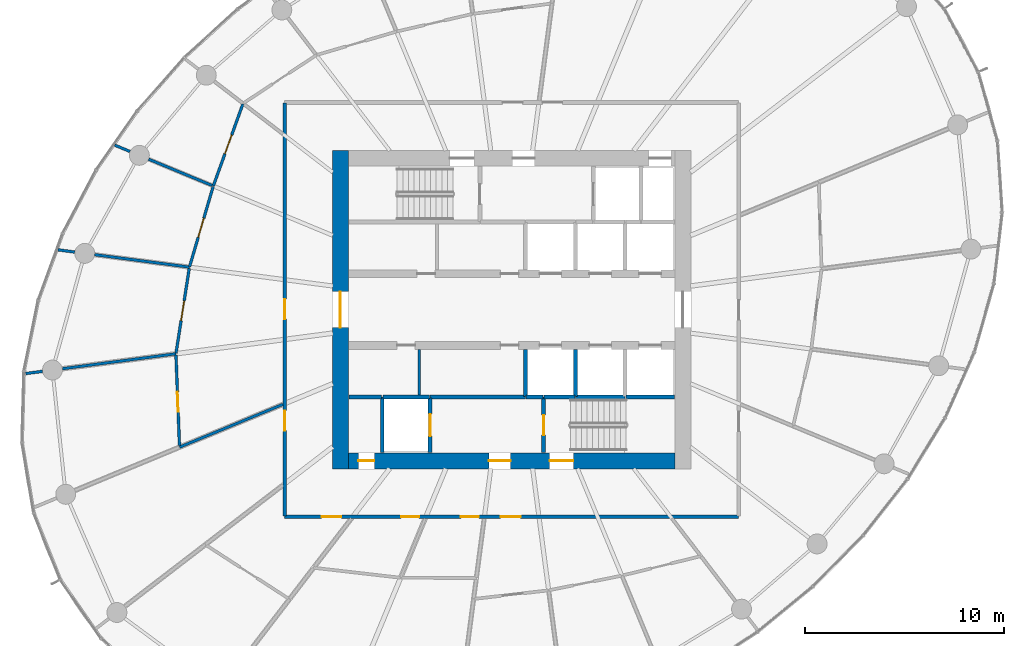
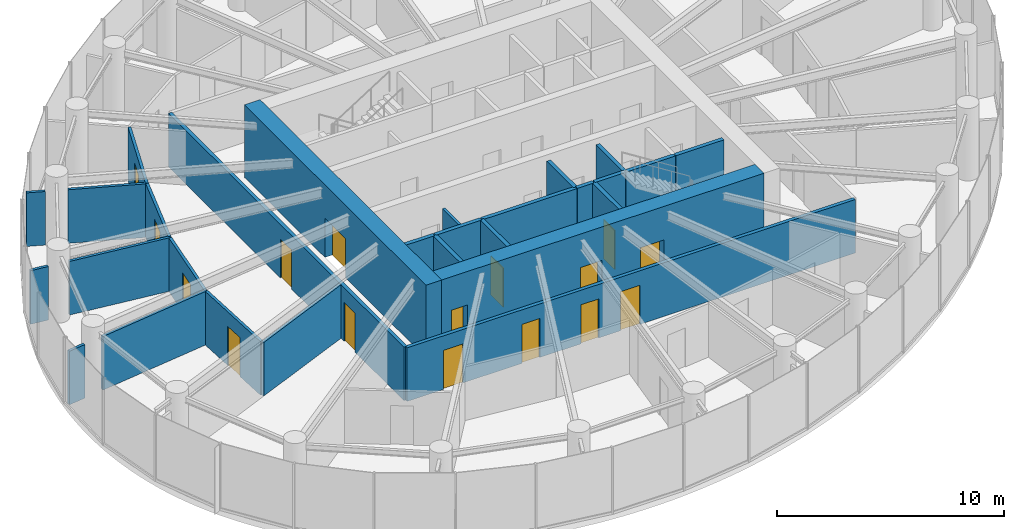
# One storey, part 9 of 14: 28 walls, 16 doors, 16 openings.
"""IFC4 building model written with IfcOpenShell, lengths in metres."""

import ifcopenshell
import ifcopenshell.guid

model = None  # the IFC model being written
_history = None  # IfcOwnerHistory: only IFC2X3 demands one
_inside = {}  # id of a spatial element -> (the spatial element, [elements in it])
_under = {}  # id of a project, library or spatial element -> (it, [spatial elements below it])
_declared = {}  # id of a project -> (the project, [libraries it declares])
_typed = {}  # id of a type object -> (the type object, [elements of that type])
_made_of = {}  # id of a material, layer set ... -> (it, [elements and type objects made of it])


def new_model(schema):
    """Start an empty IFC model of exactly this schema.

    Asked for "IFC4X3", IfcOpenShell would pick the latest addendum, in which some entities
    have other attributes; the version numbers below select the first issue.
    IFC2X3 requires an IfcOwnerHistory on every rooted entity: one is made here for all.
    """
    global model, _history
    if schema == "IFC4X3":
        model = ifcopenshell.file(schema_version=(4, 3, 0, 0))
    else:
        model = ifcopenshell.file(schema=schema)
    _inside.clear()
    _under.clear()
    _declared.clear()
    _typed.clear()
    _made_of.clear()
    _history = None
    if model.schema == "IFC2X3":
        org = make("IfcOrganization", Name="unknown")
        user = make(
            "IfcPersonAndOrganization",
            ThePerson=make("IfcPerson", FamilyName="unknown"),
            TheOrganization=org,
        )
        app = make(
            "IfcApplication",
            ApplicationDeveloper=org,
            Version="unknown",
            ApplicationFullName="unknown",
            ApplicationIdentifier="unknown",
        )
        _history = make(
            "IfcOwnerHistory",
            OwningUser=user,
            OwningApplication=app,
            ChangeAction="ADDED",
            CreationDate=0,
        )
    return model


def make(cls, **values):
    """One entity of the class cls with the attributes given. An attribute that is None is left unset."""
    return model.create_entity(
        cls, **{name: value for name, value in values.items() if value is not None}
    )


def rooted(cls, **values):
    """An entity with a GlobalId (a new one), such as an element, a storey or a relation."""
    return make(cls, GlobalId=ifcopenshell.guid.new(), OwnerHistory=_history, **values)


def si_unit(unit_type, name, prefix=None):
    """IfcSIUnit, for example si_unit("LENGTHUNIT", "METRE", prefix="MILLI")."""
    return make("IfcSIUnit", UnitType=unit_type, Prefix=prefix, Name=name)


def assignment(units):
    """IfcUnitAssignment: the units of a project."""
    return None if units is None else make("IfcUnitAssignment", Units=units)


def point(xyz):
    """IfcCartesianPoint."""
    return None if xyz is None else make("IfcCartesianPoint", Coordinates=xyz)


def direction(xyz):
    """IfcDirection."""
    return None if xyz is None else make("IfcDirection", DirectionRatios=xyz)


def frame(location, z_axis=None, x_axis=None):
    """IfcAxis2Placement3D, a coordinate frame: its origin and axes. An axis left out is left unset."""
    return make(
        "IfcAxis2Placement3D",
        Location=point(location),
        Axis=direction(z_axis),
        RefDirection=direction(x_axis),
    )


def frame_2d(location, x_axis=None):
    """IfcAxis2Placement2D, a coordinate frame in the plane: its origin and x axis."""
    return make(
        "IfcAxis2Placement2D", Location=point(location), RefDirection=direction(x_axis)
    )


def origin():
    """The frame at (0, 0, 0) with its axes left unset."""
    return frame((0.0, 0.0, 0.0))


def place(relative_to, where):
    """IfcLocalPlacement: puts the frame where relative to a parent placement (None: the world)."""
    return make(
        "IfcLocalPlacement", PlacementRelTo=relative_to, RelativePlacement=where
    )


def context(
    kind, dimensions, precision=None, world=None, true_north=None, identifier=None
):
    """IfcGeometricRepresentationContext, for example the 3D "Model" context."""
    return make(
        "IfcGeometricRepresentationContext",
        ContextIdentifier=identifier,
        ContextType=kind,
        CoordinateSpaceDimension=dimensions,
        Precision=precision,
        WorldCoordinateSystem=world,
        TrueNorth=true_north,
    )


def subcontext(parent, identifier, kind, view, scale=None):
    """IfcGeometricRepresentationSubContext, for example "Body" below "Model"."""
    return make(
        "IfcGeometricRepresentationSubContext",
        ContextIdentifier=identifier,
        ContextType=kind,
        ParentContext=parent,
        TargetScale=scale,
        TargetView=view,
    )


def project(units=None, contexts=None):
    """IfcProject with its units and contexts."""
    return rooted(
        "IfcProject",
        Name="project",
        RepresentationContexts=contexts,
        UnitsInContext=assignment(units),
    )


def spatial(cls, under=None, at=None, **own):
    """A site, building, storey or space (cls), placed at a placement, below another one or the project."""
    s = rooted(cls, ObjectPlacement=at, **own)
    if under is not None:
        _under.setdefault(under.id(), (under, []))[1].append(s)
    return s


def profile(cls, at=None, kind="AREA", **sizes):
    """A parametric profile (cls). Its sizes go by their IFC names, for example OverallWidth=200.0."""
    return make(cls, ProfileType=kind, Position=at, **sizes)


def rectangle(**sizes):
    """IfcRectangleProfileDef."""
    return profile("IfcRectangleProfileDef", **sizes)


def extrude(swept, where, along, depth):
    """IfcExtrudedAreaSolid: the profile swept, set in the frame where, extruded along a direction by depth."""
    return make(
        "IfcExtrudedAreaSolid",
        SweptArea=swept,
        Position=where,
        ExtrudedDirection=direction(along),
        Depth=depth,
    )


def shape(context_of_items, identifier, shape_type, items):
    """IfcShapeRepresentation: the items that make up one representation, for example the "Body"."""
    return make(
        "IfcShapeRepresentation",
        ContextOfItems=context_of_items,
        RepresentationIdentifier=identifier,
        RepresentationType=shape_type,
        Items=items,
    )


def source(mapping_origin, context_of_items, identifier, shape_type, items):
    """IfcRepresentationMap: a shape defined once, which mapped items show again and again."""
    return make(
        "IfcRepresentationMap",
        MappingOrigin=mapping_origin,
        MappedRepresentation=shape(context_of_items, identifier, shape_type, items),
    )


def transform(
    local_origin,
    x_axis=None,
    y_axis=None,
    z_axis=None,
    scale=None,
    scale2=None,
    scale3=None,
    uniform=True,
):
    """IfcCartesianTransformationOperator3D, or its non-uniform kind. x_axis, y_axis, z_axis: its Axis1, 2, 3."""
    if uniform:
        return make(
            "IfcCartesianTransformationOperator3D",
            Axis1=direction(x_axis),
            Axis2=direction(y_axis),
            LocalOrigin=point(local_origin),
            Scale=scale,
            Axis3=direction(z_axis),
        )
    return make(
        "IfcCartesianTransformationOperator3DnonUniform",
        Axis1=direction(x_axis),
        Axis2=direction(y_axis),
        LocalOrigin=point(local_origin),
        Scale=scale,
        Axis3=direction(z_axis),
        Scale2=scale2,
        Scale3=scale3,
    )


def mapped(mapping_source, mapping_target):
    """IfcMappedItem: shows the shape of a source again, moved by a transform."""
    return make(
        "IfcMappedItem", MappingSource=mapping_source, MappingTarget=mapping_target
    )


def material(Name=None, Category=None):
    """IfcMaterial."""
    return make("IfcMaterial", Name=Name, Category=Category)


def layer(
    of_material, thickness, ventilated=None, Name=None, Category=None, Priority=None
):
    """IfcMaterialLayer: one layer of a wall or slab, of a material (None: an air gap)."""
    return make(
        "IfcMaterialLayer",
        Material=of_material,
        LayerThickness=thickness,
        IsVentilated=ventilated,
        Name=Name,
        Category=Category,
        Priority=Priority,
    )


def layer_set(layers, Name=None):
    """IfcMaterialLayerSet."""
    return make("IfcMaterialLayerSet", MaterialLayers=layers, LayerSetName=Name)


def made_of(thing, what):
    """Note that an element or type object is made of a material, layer set ...; save() writes the relation."""
    if what is not None:
        _made_of.setdefault(what.id(), (what, []))[1].append(thing)
    return thing


def type_object(cls, material=None, **own):
    """A type object (cls), such as IfcWallType, which elements share."""
    return made_of(rooted(cls, **own), material)


def element(
    cls,
    number,
    at=None,
    inside=None,
    cuts=None,
    type_object=None,
    material=None,
    context=None,
    identifier="Body",
    shape_type=None,
    held_by="IfcProductDefinitionShape",
    body=None,
    shapes=None,
    **own,
):
    """One element of the class cls, such as IfcWall. Its Tag is "e" and its number.

    at: its placement. inside: the storey or other place that contains it. cuts: it is an
    opening in that element (IfcRelVoidsElement). A single representation is given by context,
    identifier, shape_type and body (its items); several are given by shapes. held_by: the class
    of the entity that holds the representations. save() writes the other relations.
    """
    e = rooted(cls, Tag="e%d" % number, ObjectPlacement=at, **own)
    if body is not None:
        shapes = [shape(context, identifier, shape_type, body)]
    if shapes is not None:
        e.Representation = make(held_by, Representations=shapes)
    if inside is not None:
        _inside.setdefault(inside.id(), (inside, []))[1].append(e)
    if cuts is not None:
        rooted(
            "IfcRelVoidsElement", RelatingBuildingElement=cuts, RelatedOpeningElement=e
        )
    if type_object is not None:
        _typed.setdefault(type_object.id(), (type_object, []))[1].append(e)
    return made_of(e, material)


def fill(opening, filler):
    """IfcRelFillsElement: the door or window that sits in an opening."""
    return rooted(
        "IfcRelFillsElement",
        RelatingOpeningElement=opening,
        RelatedBuildingElement=filler,
    )


def aggregate(whole, parts):
    """IfcRelAggregates: a whole, such as a stair, and the parts it consists of."""
    return rooted("IfcRelAggregates", RelatingObject=whole, RelatedObjects=parts)


def save(model, path):
    """Write the relations noted so far, then the file.

    IfcRelAggregates (storeys below a building ...), IfcRelContainedInSpatialStructure (elements
    in a storey), IfcRelDefinesByType, IfcRelAssociatesMaterial and IfcRelDeclares: one each for
    every whole, place, type object, material and project.
    """
    for whole, parts in _under.values():
        aggregate(whole, parts)
    for where, things in _inside.values():
        rooted(
            "IfcRelContainedInSpatialStructure",
            RelatedElements=things,
            RelatingStructure=where,
        )
    for kind, things in _typed.values():
        rooted("IfcRelDefinesByType", RelatedObjects=things, RelatingType=kind)
    for what, things in _made_of.values():
        rooted("IfcRelAssociatesMaterial", RelatedObjects=things, RelatingMaterial=what)
    for by, libraries in _declared.values():
        rooted("IfcRelDeclares", RelatingContext=by, RelatedDefinitions=libraries)
    model.write(path)


model = new_model("IFC4")

# Units and contexts
model_context = context("Model", 3, precision=1e-05, world=origin(), true_north=direction((0.0, 1.0)))
body_context = subcontext(model_context, "Body", "Model", "MODEL_VIEW")
ifc_project = project(units=[si_unit("LENGTHUNIT", "METRE"), si_unit("AREAUNIT", "SQUARE_METRE"), si_unit("VOLUMEUNIT", "CUBIC_METRE"), si_unit("PLANEANGLEUNIT", "RADIAN"), si_unit("MASSUNIT", "GRAM", prefix="KILO")], contexts=[model_context])

# Site, building, storey
site_placement = place(None, origin())
site = spatial("IfcSite", under=ifc_project, at=site_placement, CompositionType="ELEMENT")
building_placement = place(site_placement, origin())
building = spatial("IfcBuilding", under=site, at=building_placement, Name="Spindrift Exchange Tower", CompositionType="ELEMENT")
storey_placement = place(building_placement, frame((0.0, 0.0, 160.39990234375)))
storey = spatial("IfcBuildingStorey", under=building, at=storey_placement, Name="L38", CompositionType="ELEMENT", Elevation=160.39990234375)

# Wall, opening, door
ifc_material_1 = material(Name="Concrete 65 MPa", Category="concrete")
ifc_layer_1 = layer(ifc_material_1, 0.800048828125)
ifc_layer_set_1 = layer_set([ifc_layer_1], Name="RC Core Wall 800 Concrete 65 MPa")
wall_type_1 = type_object("IfcWallType", Name="RC Core Wall 800 Concrete 65 MPa", PredefinedType="SHEAR", material=ifc_layer_set_1)
wall_1_placement = place(storey_placement, frame((43.39990234375, 56.0, 0.0), z_axis=(0.0, 0.0, 1.0), x_axis=(0.0, -1.0, 0.0)))
wall_1 = element("IfcWall", 1, at=wall_1_placement, inside=storey, type_object=wall_type_1, Name="Core wall W L38", PredefinedType="SHEAR", context=body_context, shape_type="SweptSolid", body=[
    extrude(rectangle(XDim=16.0, YDim=0.800048828125, at=frame_2d((8.0, 0.0))), origin(), (0.0, 0.0, 1.0), 3.900146484375),
])
opening_1_placement = place(wall_1_placement, frame((7.10009765625, 0.0, 0.0)))
opening_1 = element("IfcOpeningElement", 2, at=opening_1_placement, cuts=wall_1, Name="Opening L38-D1", PredefinedType="OPENING", context=body_context, shape_type="SweptSolid", body=[
    extrude(rectangle(XDim=1.800048828125, YDim=2.10009765625, at=frame_2d((0.89990234375, 1.050048828125))), frame((0.0, 0.409912109375, 0.0), z_axis=(0.0, -1.0, 0.0), x_axis=(1.0, 0.0, 0.0)), (0.0, 0.0, 1.0), 0.820068359375),
])
ifc_material_2 = material(Name="Timber-core fire door", Category="wood")
door_type_1 = type_object("IfcDoorType", Name="DR-LOBBY-1800", OperationType="NOTDEFINED", PredefinedType="DOOR", material=ifc_material_2)
shared_shape_1 = source(origin(), body_context, "Body", "SweptSolid", [
    extrude(rectangle(XDim=1.800048828125, YDim=2.10009765625, at=frame_2d((0.89990234375, 1.050048828125))), frame((0.0, 0.02490234375, 0.0), z_axis=(0.0, -1.0, 0.0), x_axis=(1.0, 0.0, 0.0)), (0.0, 0.0, 1.0), 0.050048828125),
])
door_1_placement = place(opening_1_placement, origin())
door_1 = element("IfcDoor", 3, at=door_1_placement, inside=storey, type_object=door_type_1, Name="L38 Lobby door 1", OperationType="SINGLE_SWING_RIGHT", OverallHeight=2.10009765625, OverallWidth=1.800048828125, PredefinedType="DOOR", context=body_context, shape_type="MappedRepresentation", body=[
    mapped(shared_shape_1, transform((0.0, 0.0, 0.0), scale=1.0)),
])
fill(opening_1, door_1)

# Wall, openings, doors
wall_2_placement = place(storey_placement, frame((43.800048828125, 40.39990234375, 0.0), z_axis=(0.0, 0.0, 1.0), x_axis=(1.0, 0.0, 0.0)))
wall_2 = element("IfcWall", 4, at=wall_2_placement, inside=storey, type_object=wall_type_1, Name="Core wall S L38", PredefinedType="SHEAR", context=body_context, shape_type="SweptSolid", body=[
    extrude(rectangle(XDim=16.39990234375, YDim=0.800048828125, at=frame_2d((8.199951171875, 0.0))), origin(), (0.0, 0.0, 1.0), 3.900146484375),
])
opening_2_placement = place(wall_2_placement, frame((10.10009765625, 0.0, 0.0)))
opening_2 = element("IfcOpeningElement", 5, at=opening_2_placement, cuts=wall_2, Name="Opening L38-D15", PredefinedType="OPENING", context=body_context, shape_type="SweptSolid", body=[
    extrude(rectangle(XDim=1.199951171875, YDim=2.10009765625, at=frame_2d((0.60009765625, 1.050048828125))), frame((0.0, 0.409912109375, 0.0), z_axis=(0.0, -1.0, 0.0), x_axis=(1.0, 0.0, 0.0)), (0.0, 0.0, 1.0), 0.820068359375),
])
opening_3_placement = place(wall_2_placement, frame((7.050048828125, 0.0, 0.0)))
opening_3 = element("IfcOpeningElement", 6, at=opening_3_placement, cuts=wall_2, Name="Opening L38-D17", PredefinedType="OPENING", context=body_context, shape_type="SweptSolid", body=[
    extrude(rectangle(XDim=1.10009765625, YDim=2.10009765625, at=frame_2d((0.550048828125, 1.050048828125))), frame((0.0, 0.409912109375, 0.0), z_axis=(0.0, -1.0, 0.0), x_axis=(1.0, 0.0, 0.0)), (0.0, 0.0, 1.0), 0.820068359375),
])
opening_4_placement = place(wall_2_placement, frame((0.5, 0.0, 0.0)))
opening_4 = element("IfcOpeningElement", 7, at=opening_4_placement, cuts=wall_2, Name="Opening L38-D18", PredefinedType="OPENING", context=body_context, shape_type="SweptSolid", body=[
    extrude(rectangle(XDim=0.800048828125, YDim=2.10009765625, at=frame_2d((0.39990234375, 1.050048828125))), frame((0.0, 0.409912109375, 0.0), z_axis=(0.0, -1.0, 0.0), x_axis=(1.0, 0.0, 0.0)), (0.0, 0.0, 1.0), 0.820068359375),
])
ifc_material_3 = material(Name="Steel fire door", Category="steel")
door_type_2 = type_object("IfcDoorType", Name="DR-STAIR-1200", OperationType="NOTDEFINED", PredefinedType="DOOR", material=ifc_material_3)
shared_shape_2 = source(origin(), body_context, "Body", "SweptSolid", [
    extrude(rectangle(XDim=1.199951171875, YDim=2.10009765625, at=frame_2d((0.60009765625, 1.050048828125))), frame((0.0, 0.02490234375, 0.0), z_axis=(0.0, -1.0, 0.0), x_axis=(1.0, 0.0, 0.0)), (0.0, 0.0, 1.0), 0.050048828125),
])
door_2_placement = place(opening_2_placement, origin())
door_2 = element("IfcDoor", 8, at=door_2_placement, inside=storey, type_object=door_type_2, Name="L38 Stair door 15", OperationType="SINGLE_SWING_LEFT", OverallHeight=2.10009765625, OverallWidth=1.199951171875, PredefinedType="DOOR", context=body_context, shape_type="MappedRepresentation", body=[
    mapped(shared_shape_2, transform((0.0, 0.0, 0.0), scale=1.0)),
])
fill(opening_2, door_2)
door_type_3 = type_object("IfcDoorType", Name="DR-LOBBY-1100", OperationType="NOTDEFINED", PredefinedType="DOOR", material=ifc_material_2)
shared_shape_3 = source(origin(), body_context, "Body", "SweptSolid", [
    extrude(rectangle(XDim=1.10009765625, YDim=2.10009765625, at=frame_2d((0.550048828125, 1.050048828125))), frame((0.0, 0.02490234375, 0.0), z_axis=(0.0, -1.0, 0.0), x_axis=(1.0, 0.0, 0.0)), (0.0, 0.0, 1.0), 0.050048828125),
])
door_3_placement = place(opening_3_placement, origin())
door_3 = element("IfcDoor", 9, at=door_3_placement, inside=storey, type_object=door_type_3, Name="L38 Lobby door 17", OperationType="SINGLE_SWING_LEFT", OverallHeight=2.10009765625, OverallWidth=1.10009765625, PredefinedType="DOOR", context=body_context, shape_type="MappedRepresentation", body=[
    mapped(shared_shape_3, transform((0.0, 0.0, 0.0), scale=1.0)),
])
fill(opening_3, door_3)
ifc_material_4 = material(Name="Steel access door", Category="steel")
door_type_4 = type_object("IfcDoorType", Name="DR-RISER-800", OperationType="NOTDEFINED", PredefinedType="DOOR", material=ifc_material_4)
shared_shape_4 = source(origin(), body_context, "Body", "SweptSolid", [
    extrude(rectangle(XDim=0.800048828125, YDim=2.10009765625, at=frame_2d((0.39990234375, 1.050048828125))), frame((0.0, 0.02490234375, 0.0), z_axis=(0.0, -1.0, 0.0), x_axis=(1.0, 0.0, 0.0)), (0.0, 0.0, 1.0), 0.050048828125),
])
door_4_placement = place(opening_4_placement, origin())
door_4 = element("IfcDoor", 10, at=door_4_placement, inside=storey, type_object=door_type_4, Name="L38 Riser door 18", OperationType="SINGLE_SWING_RIGHT", OverallHeight=2.10009765625, OverallWidth=0.800048828125, PredefinedType="DOOR", context=body_context, shape_type="MappedRepresentation", body=[
    mapped(shared_shape_4, transform((0.0, 0.0, 0.0), scale=1.0)),
])
fill(opening_4, door_4)

ifc_material_5 = material(Name="Fire-rated plasterboard partition", Category="gypsum")
ifc_layer_2 = layer(ifc_material_5, 0.179931640625)
ifc_layer_set_2 = layer_set([ifc_layer_2], Name="W-CORR-180")
wall_type_2 = type_object("IfcWallType", Name="W-CORR-180", PredefinedType="PARTITIONING", material=ifc_layer_set_2)
wall_3_placement = place(storey_placement, frame((63.39990234375, 37.60009765625, 0.0), z_axis=(0.0, 0.0, 1.0), x_axis=(-1.0, 0.0, 0.0)))
wall_3 = element("IfcWall", 11, at=wall_3_placement, inside=storey, type_object=wall_type_2, Name="L38 Partition wall 28", PredefinedType="PARTITIONING", context=body_context, shape_type="SweptSolid", body=[
    extrude(rectangle(XDim=22.7998046875, YDim=0.179931640625, at=frame_2d((11.39990234375, 0.0))), origin(), (0.0, 0.0, 1.0), 2.880126953125),
])
opening_5_placement = place(wall_3_placement, frame((16.050048828125, 0.0, 0.0)))
opening_5 = element("IfcOpeningElement", 12, at=opening_5_placement, cuts=wall_3, Name="Opening L38-D19", PredefinedType="OPENING", context=body_context, shape_type="SweptSolid", body=[
    extrude(rectangle(XDim=0.89990234375, YDim=2.10009765625, at=frame_2d((0.449951171875, 1.050048828125))), frame((0.0, 0.099853515625, 0.0), z_axis=(0.0, -1.0, 0.0), x_axis=(1.0, 0.0, 0.0)), (0.0, 0.0, 1.0), 0.199951171875),
])
opening_6_placement = place(wall_3_placement, frame((13.050048828125, 0.0, 0.0)))
opening_6 = element("IfcOpeningElement", 13, at=opening_6_placement, cuts=wall_3, Name="Opening L38-D20", PredefinedType="OPENING", context=body_context, shape_type="SweptSolid", body=[
    extrude(rectangle(XDim=0.89990234375, YDim=2.10009765625, at=frame_2d((0.449951171875, 1.050048828125))), frame((0.0, 0.099853515625, 0.0), z_axis=(0.0, -1.0, 0.0), x_axis=(1.0, 0.0, 0.0)), (0.0, 0.0, 1.0), 0.199951171875),
])
opening_7_placement = place(wall_3_placement, frame((10.949951171875, 0.0, 0.0)))
opening_7 = element("IfcOpeningElement", 14, at=opening_7_placement, cuts=wall_3, Name="Opening L38-D21", PredefinedType="OPENING", context=body_context, shape_type="SweptSolid", body=[
    extrude(rectangle(XDim=1.0, YDim=2.10009765625, at=frame_2d((0.5, 1.050048828125))), frame((0.0, 0.099853515625, 0.0), z_axis=(0.0, -1.0, 0.0), x_axis=(1.0, 0.0, 0.0)), (0.0, 0.0, 1.0), 0.199951171875),
])
opening_8_placement = place(wall_3_placement, frame((19.949951171875, 0.0, 0.0)))
opening_8 = element("IfcOpeningElement", 15, at=opening_8_placement, cuts=wall_3, Name="Opening L38-D43", PredefinedType="OPENING", context=body_context, shape_type="SweptSolid", body=[
    extrude(rectangle(XDim=1.0, YDim=2.10009765625, at=frame_2d((0.5, 1.050048828125))), frame((0.0, 0.099853515625, 0.0), z_axis=(0.0, -1.0, 0.0), x_axis=(1.0, 0.0, 0.0)), (0.0, 0.0, 1.0), 0.199951171875),
])
door_type_5 = type_object("IfcDoorType", Name="DR-ROOM-1000", OperationType="NOTDEFINED", PredefinedType="DOOR", material=ifc_material_2)
shared_shape_5 = source(origin(), body_context, "Body", "SweptSolid", [
    extrude(rectangle(XDim=1.0, YDim=2.10009765625, at=frame_2d((0.5, 1.050048828125))), frame((0.0, 0.02490234375, 0.0), z_axis=(0.0, -1.0, 0.0), x_axis=(1.0, 0.0, 0.0)), (0.0, 0.0, 1.0), 0.050048828125),
])
door_5_placement = place(opening_7_placement, origin())
door_5 = element("IfcDoor", 16, at=door_5_placement, inside=storey, type_object=door_type_5, Name="L38 Door 21", OperationType="SINGLE_SWING_LEFT", OverallHeight=2.10009765625, OverallWidth=1.0, PredefinedType="DOOR", context=body_context, shape_type="MappedRepresentation", body=[
    mapped(shared_shape_5, transform((0.0, 0.0, 0.0), scale=1.0)),
])
fill(opening_7, door_5)
door_6_placement = place(opening_8_placement, origin())
door_6 = element("IfcDoor", 17, at=door_6_placement, inside=storey, type_object=door_type_5, Name="L38 Door 43", OperationType="SINGLE_SWING_LEFT", OverallHeight=2.10009765625, OverallWidth=1.0, PredefinedType="DOOR", context=body_context, shape_type="MappedRepresentation", body=[
    mapped(shared_shape_5, transform((0.0, 0.0, 0.0), scale=1.0)),
])
fill(opening_8, door_6)
ifc_material_6 = material(Name="Laminate washroom door", Category="wood")
door_type_6 = type_object("IfcDoorType", Name="DR-WC-900", OperationType="NOTDEFINED", PredefinedType="DOOR", material=ifc_material_6)
shared_shape_6 = source(origin(), body_context, "Body", "SweptSolid", [
    extrude(rectangle(XDim=0.89990234375, YDim=2.10009765625, at=frame_2d((0.449951171875, 1.050048828125))), frame((0.0, 0.02490234375, 0.0), z_axis=(0.0, -1.0, 0.0), x_axis=(1.0, 0.0, 0.0)), (0.0, 0.0, 1.0), 0.050048828125),
])
door_7_placement = place(opening_5_placement, origin())
door_7 = element("IfcDoor", 18, at=door_7_placement, inside=storey, type_object=door_type_6, Name="L38 WC door 19", OperationType="SINGLE_SWING_LEFT", OverallHeight=2.10009765625, OverallWidth=0.89990234375, PredefinedType="DOOR", context=body_context, shape_type="MappedRepresentation", body=[
    mapped(shared_shape_6, transform((0.0, 0.0, 0.0), scale=1.0)),
])
fill(opening_5, door_7)
door_8_placement = place(opening_6_placement, origin())
door_8 = element("IfcDoor", 19, at=door_8_placement, inside=storey, type_object=door_type_6, Name="L38 WC door 20", OperationType="SINGLE_SWING_RIGHT", OverallHeight=2.10009765625, OverallWidth=0.89990234375, PredefinedType="DOOR", context=body_context, shape_type="MappedRepresentation", body=[
    mapped(shared_shape_6, transform((0.0, 0.0, 0.0), scale=1.0)),
])
fill(opening_6, door_8)

wall_4_placement = place(storey_placement, frame((40.60009765625, 37.6298828125, 0.0), z_axis=(0.0, 0.0, 1.0), x_axis=(0.0, 1.0, 0.0)))
wall_4 = element("IfcWall", 20, at=wall_4_placement, inside=storey, type_object=wall_type_2, Name="L38 Partition wall 30", PredefinedType="PARTITIONING", context=body_context, shape_type="SweptSolid", body=[
    extrude(rectangle(XDim=20.740234375, YDim=0.179931640625, at=frame_2d((10.3701171875, 0.0))), origin(), (0.0, 0.0, 1.0), 2.880126953125),
])
opening_9_placement = place(wall_4_placement, frame((9.889892578125, 0.0, 0.0)))
opening_9 = element("IfcOpeningElement", 21, at=opening_9_placement, cuts=wall_4, Name="Opening L38-D37", PredefinedType="OPENING", context=body_context, shape_type="SweptSolid", body=[
    extrude(rectangle(XDim=1.0, YDim=2.10009765625, at=frame_2d((0.5, 1.050048828125))), frame((0.0, 0.099853515625, 0.0), z_axis=(0.0, -1.0, 0.0), x_axis=(1.0, 0.0, 0.0)), (0.0, 0.0, 1.0), 0.199951171875),
])
opening_10_placement = place(wall_4_placement, frame((4.2900390625, 0.0, 0.0)))
opening_10 = element("IfcOpeningElement", 22, at=opening_10_placement, cuts=wall_4, Name="Opening L38-D42", PredefinedType="OPENING", context=body_context, shape_type="SweptSolid", body=[
    extrude(rectangle(XDim=1.0, YDim=2.10009765625, at=frame_2d((0.5, 1.050048828125))), frame((0.0, 0.099853515625, 0.0), z_axis=(0.0, -1.0, 0.0), x_axis=(1.0, 0.0, 0.0)), (0.0, 0.0, 1.0), 0.199951171875),
])
door_9_placement = place(opening_9_placement, origin())
door_9 = element("IfcDoor", 23, at=door_9_placement, inside=storey, type_object=door_type_5, Name="L38 Door 37", OperationType="SINGLE_SWING_LEFT", OverallHeight=2.10009765625, OverallWidth=1.0, PredefinedType="DOOR", context=body_context, shape_type="MappedRepresentation", body=[
    mapped(shared_shape_5, transform((0.0, 0.0, 0.0), scale=1.0)),
])
fill(opening_9, door_9)
door_10_placement = place(opening_10_placement, origin())
door_10 = element("IfcDoor", 24, at=door_10_placement, inside=storey, type_object=door_type_5, Name="L38 Door 42", OperationType="SINGLE_SWING_RIGHT", OverallHeight=2.10009765625, OverallWidth=1.0, PredefinedType="DOOR", context=body_context, shape_type="MappedRepresentation", body=[
    mapped(shared_shape_5, transform((0.0, 0.0, 0.0), scale=1.0)),
])
fill(opening_10, door_10)

# Walls
ifc_layer_3 = layer(ifc_material_5, 0.139892578125)
ifc_layer_set_3 = layer_set([ifc_layer_3], Name="W-PART-140")
wall_type_3 = type_object("IfcWallType", Name="W-PART-140", PredefinedType="PARTITIONING", material=ifc_layer_set_3)
wall_5_placement = place(storey_placement, frame((35.138671875, 45.7802734375, 0.0), z_axis=(0.0, 0.0, 1.0), x_axis=(-0.99144533292, -0.130522610424, 0.0)))
element("IfcWall", 25, at=wall_5_placement, inside=storey, type_object=wall_type_3, Name="L38 Partition wall 34", PredefinedType="PARTITIONING", context=body_context, shape_type="SweptSolid", body=[
    extrude(rectangle(XDim=5.749755859375, YDim=0.139892578125, at=frame_2d((2.875, 0.0))), origin(), (0.0, 0.0, 1.0), 2.880126953125),
])
wall_6_placement = place(storey_placement, frame((40.510009765625, 43.24072265625, 0.0), z_axis=(0.0, 0.0, 1.0), x_axis=(-0.92387220975, -0.382701110597, 0.0)))
element("IfcWall", 26, at=wall_6_placement, inside=storey, type_object=wall_type_3, Name="L38 Partition wall 36", PredefinedType="PARTITIONING", context=body_context, shape_type="SweptSolid", body=[
    extrude(rectangle(XDim=5.6171875, YDim=0.139892578125, at=frame_2d((2.80859375, 0.0))), origin(), (0.0, 0.0, 1.0), 2.880126953125),
])
wall_7_placement = place(storey_placement, frame((35.8173828125, 50.130615234375, 0.0), z_axis=(0.0, 0.0, 1.0), x_axis=(-0.991450832312, 0.13048083042, 0.0)))
element("IfcWall", 27, at=wall_7_placement, inside=storey, type_object=wall_type_3, Name="L38 Partition wall 45", PredefinedType="PARTITIONING", context=body_context, shape_type="SweptSolid", body=[
    extrude(rectangle(XDim=4.79931640625, YDim=0.139892578125, at=frame_2d((2.399658203125, 0.0))), origin(), (0.0, 0.0, 1.0), 2.880126953125),
])

# Wall, opening, door
wall_8_placement = place(storey_placement, frame((35.317626953125, 41.165771484375, 0.0), z_axis=(0.0, 0.0, 1.0), x_axis=(-0.038760942668, 0.999248512295, 0.0)))
wall_8 = element("IfcWall", 28, at=wall_8_placement, inside=storey, type_object=wall_type_3, Name="L38 Partition wall 46", PredefinedType="PARTITIONING", context=body_context, shape_type="SweptSolid", body=[
    extrude(rectangle(XDim=4.547607421875, YDim=0.139892578125, at=frame_2d((2.27392578125, 0.0))), origin(), (0.0, 0.0, 1.0), 2.880126953125),
])
opening_11_placement = place(wall_8_placement, frame((1.697509765625, 0.0, 0.0)))
opening_11 = element("IfcOpeningElement", 29, at=opening_11_placement, cuts=wall_8, Name="Opening L38-D41", PredefinedType="OPENING", context=body_context, shape_type="SweptSolid", body=[
    extrude(rectangle(XDim=1.0, YDim=2.10009765625, at=frame_2d((0.5, 1.050048828125))), frame((0.0, 0.079833984375, 0.0), z_axis=(0.0, -1.0, 0.0), x_axis=(1.0, 0.0, 0.0)), (0.0, 0.0, 1.0), 0.159912109375),
])
door_11_placement = place(opening_11_placement, origin())
door_11 = element("IfcDoor", 30, at=door_11_placement, inside=storey, type_object=door_type_5, Name="L38 Door 41", OperationType="SINGLE_SWING_LEFT", OverallHeight=2.10009765625, OverallWidth=1.0, PredefinedType="DOOR", context=body_context, shape_type="MappedRepresentation", body=[
    mapped(shared_shape_5, transform((0.0, 0.0, 0.0), scale=1.0)),
])
fill(opening_11, door_11)

wall_9_placement = place(storey_placement, frame((37.015869140625, 54.20654296875, 0.0), z_axis=(0.0, 0.0, 1.0), x_axis=(0.339349662801, 0.940660303381, 0.0)))
wall_9 = element("IfcWall", 31, at=wall_9_placement, inside=storey, type_object=wall_type_3, Name="L38 Partition wall 49", PredefinedType="PARTITIONING", context=body_context, shape_type="SweptSolid", body=[
    extrude(rectangle(XDim=4.375732421875, YDim=0.139892578125, at=frame_2d((2.18798828125, 0.0))), origin(), (0.0, 0.0, 1.0), 2.880126953125),
])
opening_12_placement = place(wall_9_placement, frame((1.725341796875, 0.0, 0.0)))
opening_12 = element("IfcOpeningElement", 32, at=opening_12_placement, cuts=wall_9, Name="Opening L38-D38", PredefinedType="OPENING", context=body_context, shape_type="SweptSolid", body=[
    extrude(rectangle(XDim=1.0, YDim=2.10009765625, at=frame_2d((0.5, 1.050048828125))), frame((0.0, 0.079833984375, 0.0), z_axis=(0.0, -1.0, 0.0), x_axis=(1.0, 0.0, 0.0)), (0.0, 0.0, 1.0), 0.159912109375),
])
door_12_placement = place(opening_12_placement, origin())
door_12 = element("IfcDoor", 33, at=door_12_placement, inside=storey, type_object=door_type_5, Name="L38 Door 38", OperationType="SINGLE_SWING_RIGHT", OverallHeight=2.10009765625, OverallWidth=1.0, PredefinedType="DOOR", context=body_context, shape_type="MappedRepresentation", body=[
    mapped(shared_shape_5, transform((0.0, 0.0, 0.0), scale=1.0)),
])
fill(opening_12, door_12)

wall_10_placement = place(storey_placement, frame((35.143310546875, 45.809814453125, 0.0), z_axis=(0.0, 0.0, 1.0), x_axis=(0.154158792567, 0.988046085299, 0.0)))
wall_10 = element("IfcWall", 34, at=wall_10_placement, inside=storey, type_object=wall_type_3, Name="L38 Partition wall 50", PredefinedType="PARTITIONING", context=body_context, shape_type="SweptSolid", body=[
    extrude(rectangle(XDim=4.302978515625, YDim=0.139892578125, at=frame_2d((2.1513671875, 0.0))), origin(), (0.0, 0.0, 1.0), 2.880126953125),
])
opening_13_placement = place(wall_10_placement, frame((1.653076171875, 0.0, 0.0)))
opening_13 = element("IfcOpeningElement", 35, at=opening_13_placement, cuts=wall_10, Name="Opening L38-D40", PredefinedType="OPENING", context=body_context, shape_type="SweptSolid", body=[
    extrude(rectangle(XDim=1.0, YDim=2.10009765625, at=frame_2d((0.5, 1.050048828125))), frame((0.0, 0.079833984375, 0.0), z_axis=(0.0, -1.0, 0.0), x_axis=(1.0, 0.0, 0.0)), (0.0, 0.0, 1.0), 0.159912109375),
])
door_13_placement = place(opening_13_placement, origin())
door_13 = element("IfcDoor", 36, at=door_13_placement, inside=storey, type_object=door_type_5, Name="L38 Door 40", OperationType="SINGLE_SWING_RIGHT", OverallHeight=2.10009765625, OverallWidth=1.0, PredefinedType="DOOR", context=body_context, shape_type="MappedRepresentation", body=[
    mapped(shared_shape_5, transform((0.0, 0.0, 0.0), scale=1.0)),
])
fill(opening_13, door_13)

wall_11_placement = place(storey_placement, frame((35.825927734375, 50.1591796875, 0.0), z_axis=(0.0, 0.0, 1.0), x_axis=(0.28208743745, 0.959388699971, 0.0)))
wall_11 = element("IfcWall", 37, at=wall_11_placement, inside=storey, type_object=wall_type_3, Name="L38 Partition wall 54", PredefinedType="PARTITIONING", context=body_context, shape_type="SweptSolid", body=[
    extrude(rectangle(XDim=4.18896484375, YDim=0.139892578125, at=frame_2d((2.094482421875, 0.0))), origin(), (0.0, 0.0, 1.0), 2.880126953125),
])
opening_14_placement = place(wall_11_placement, frame((1.538818359375, 0.0, 0.0)))
opening_14 = element("IfcOpeningElement", 38, at=opening_14_placement, cuts=wall_11, Name="Opening L38-D39", PredefinedType="OPENING", context=body_context, shape_type="SweptSolid", body=[
    extrude(rectangle(XDim=1.0, YDim=2.10009765625, at=frame_2d((0.5, 1.050048828125))), frame((0.0, 0.079833984375, 0.0), z_axis=(0.0, -1.0, 0.0), x_axis=(1.0, 0.0, 0.0)), (0.0, 0.0, 1.0), 0.159912109375),
])
door_14_placement = place(opening_14_placement, origin())
door_14 = element("IfcDoor", 39, at=door_14_placement, inside=storey, type_object=door_type_5, Name="L38 Door 39", OperationType="SINGLE_SWING_LEFT", OverallHeight=2.10009765625, OverallWidth=1.0, PredefinedType="DOOR", context=body_context, shape_type="MappedRepresentation", body=[
    mapped(shared_shape_5, transform((0.0, 0.0, 0.0), scale=1.0)),
])
fill(opening_14, door_14)

# Walls
wall_12_placement = place(storey_placement, frame((36.951171875, 54.2333984375, 0.0), z_axis=(0.0, 0.0, 1.0), x_axis=(-0.923873497733, 0.382698001285, 0.0)))
element("IfcWall", 40, at=wall_12_placement, inside=storey, type_object=wall_type_3, Name="L38 Partition wall 66", PredefinedType="PARTITIONING", context=body_context, shape_type="SweptSolid", body=[
    extrude(rectangle(XDim=3.4462890625, YDim=0.139892578125, at=frame_2d((1.72314453125, 0.0))), origin(), (0.0, 0.0, 1.0), 2.880126953125),
])
wall_13_placement = place(storey_placement, frame((47.360107421875, 43.699951171875, 0.0), z_axis=(0.0, 0.0, 1.0), x_axis=(0.0, 1.0, 0.0)))
element("IfcWall", 41, at=wall_13_placement, inside=storey, type_object=wall_type_3, Name="L38 Partition wall 74", PredefinedType="PARTITIONING", context=body_context, shape_type="SweptSolid", body=[
    extrude(rectangle(XDim=2.2900390625, YDim=0.139892578125, at=frame_2d((1.14501953125, 0.0))), origin(), (0.0, 0.0, 1.0), 2.880126953125),
])
wall_14_placement = place(storey_placement, frame((30.058837890625, 50.888671875, 0.0), z_axis=(0.0, 0.0, 1.0), x_axis=(-0.991446500326, 0.130513742537, 0.0)))
element("IfcWall", 42, at=wall_14_placement, inside=storey, type_object=wall_type_3, Name="L38 Partition wall 87", PredefinedType="PARTITIONING", context=body_context, shape_type="SweptSolid", body=[
    extrude(rectangle(XDim=0.85302734375, YDim=0.139892578125, at=frame_2d((0.426513671875, 0.0))), origin(), (0.0, 0.0, 1.0), 2.880126953125),
])
wall_15_placement = place(storey_placement, frame((28.43798828125, 44.89794921875, 0.0), z_axis=(0.0, 0.0, 1.0), x_axis=(-0.991432738393, -0.130618242377, 0.0)))
element("IfcWall", 43, at=wall_15_placement, inside=storey, type_object=wall_type_3, Name="L38 Partition wall 92", PredefinedType="PARTITIONING", context=body_context, shape_type="SweptSolid", body=[
    extrude(rectangle(XDim=0.8486328125, YDim=0.139892578125, at=frame_2d((0.42431640625, 0.0))), origin(), (0.0, 0.0, 1.0), 2.880126953125),
])
wall_16_placement = place(storey_placement, frame((32.833984375, 55.938720703125, 0.0), z_axis=(0.0, 0.0, 1.0), x_axis=(-0.923909393783, 0.382611332921, 0.0)))
element("IfcWall", 44, at=wall_16_placement, inside=storey, type_object=wall_type_3, Name="L38 Partition wall 94", PredefinedType="PARTITIONING", context=body_context, shape_type="SweptSolid", body=[
    extrude(rectangle(XDim=0.830810546875, YDim=0.139892578125, at=frame_2d((0.41552734375, 0.0))), origin(), (0.0, 0.0, 1.0), 2.880126953125),
])
ifc_material_7 = material(Name="Concrete 40 MPa", Category="concrete")
ifc_layer_4 = layer(ifc_material_7, 0.199951171875)
ifc_layer_set_4 = layer_set([ifc_layer_4], Name="W-SHAFT-200")
wall_type_4 = type_object("IfcWallType", Name="W-SHAFT-200", PredefinedType="SOLIDWALL", material=ifc_layer_set_4)
wall_17_placement = place(storey_placement, frame((52.699951171875, 43.60009765625, 0.0), z_axis=(0.0, 0.0, 1.0), x_axis=(-1.0, 0.0, 0.0)))
element("IfcWall", 45, at=wall_17_placement, inside=storey, type_object=wall_type_4, Name="L38 Shaft wall 2", PredefinedType="SOLIDWALL", context=body_context, shape_type="SweptSolid", body=[
    extrude(rectangle(XDim=4.800048828125, YDim=0.199951171875, at=frame_2d((2.39990234375, 0.0))), origin(), (0.0, 0.0, 1.0), 3.580078125),
])
wall_18_placement = place(storey_placement, frame((45.5, 43.60009765625, 0.0), z_axis=(0.0, 0.0, 1.0), x_axis=(0.0, -1.0, 0.0)))
element("IfcWall", 46, at=wall_18_placement, inside=storey, type_object=wall_type_4, Name="L38 Shaft wall 3", PredefinedType="SOLIDWALL", context=body_context, shape_type="SweptSolid", body=[
    extrude(rectangle(XDim=2.780029296875, YDim=0.199951171875, at=frame_2d((1.39013671875, 0.0))), origin(), (0.0, 0.0, 1.0), 3.580078125),
])

# Wall, opening, door
wall_19_placement = place(storey_placement, frame((47.89990234375, 40.820068359375, 0.0), z_axis=(0.0, 0.0, 1.0), x_axis=(0.0, 1.0, 0.0)))
wall_19 = element("IfcWall", 47, at=wall_19_placement, inside=storey, type_object=wall_type_4, Name="L38 Shaft wall 4", PredefinedType="SOLIDWALL", context=body_context, shape_type="SweptSolid", body=[
    extrude(rectangle(XDim=2.75, YDim=0.199951171875, at=frame_2d((1.375, 0.0))), origin(), (0.0, 0.0, 1.0), 3.580078125),
])
opening_15_placement = place(wall_19_placement, frame((0.830078125, 0.0, 0.0)))
opening_15 = element("IfcOpeningElement", 48, at=opening_15_placement, cuts=wall_19, Name="Opening L38-D10", PredefinedType="OPENING", context=body_context, shape_type="SweptSolid", body=[
    extrude(rectangle(XDim=1.10009765625, YDim=2.10009765625, at=frame_2d((0.550048828125, 1.050048828125))), frame((0.0, 0.10986328125, 0.0), z_axis=(0.0, -1.0, 0.0), x_axis=(1.0, 0.0, 0.0)), (0.0, 0.0, 1.0), 0.219970703125),
])
ifc_material_8 = material(Name="Stainless steel landing door", Category="steel")
door_type_7 = type_object("IfcDoorType", Name="DR-LANDING-1100-SL", OperationType="DOUBLE_DOOR_SLIDING", PredefinedType="USERDEFINED", material=ifc_material_8)
shared_shape_7 = source(origin(), body_context, "Body", "SweptSolid", [
    extrude(rectangle(XDim=1.10009765625, YDim=2.10009765625, at=frame_2d((0.550048828125, 1.050048828125))), frame((0.0, 0.02490234375, 0.0), z_axis=(0.0, -1.0, 0.0), x_axis=(1.0, 0.0, 0.0)), (0.0, 0.0, 1.0), 0.050048828125),
])
door_15_placement = place(opening_15_placement, origin())
door_15 = element("IfcDoor", 49, at=door_15_placement, inside=storey, type_object=door_type_7, Name="L38 Lift landing door 10", ObjectType="LANDING DOOR", OperationType="DOUBLE_DOOR_SLIDING", OverallHeight=2.10009765625, OverallWidth=1.10009765625, PredefinedType="USERDEFINED", context=body_context, shape_type="MappedRepresentation", body=[
    mapped(shared_shape_7, transform((0.0, 0.0, 0.0), scale=1.0)),
])
fill(opening_15, door_15)

# Walls
wall_20_placement = place(storey_placement, frame((47.8701171875, 43.60009765625, 0.0), z_axis=(0.0, 0.0, 1.0), x_axis=(-1.0, 0.0, 0.0)))
element("IfcWall", 50, at=wall_20_placement, inside=storey, type_object=wall_type_4, Name="L38 Shaft wall 12", PredefinedType="SOLIDWALL", context=body_context, shape_type="SweptSolid", body=[
    extrude(rectangle(XDim=2.340087890625, YDim=0.199951171875, at=frame_2d((1.169921875, 0.0))), origin(), (0.0, 0.0, 1.0), 3.580078125),
])
wall_21_placement = place(storey_placement, frame((52.699951171875, 45.989990234375, 0.0), z_axis=(0.0, 0.0, 1.0), x_axis=(0.0, -1.0, 0.0)))
element("IfcWall", 51, at=wall_21_placement, inside=storey, type_object=wall_type_4, Name="L38 Shaft wall 13", PredefinedType="SOLIDWALL", context=body_context, shape_type="SweptSolid", body=[
    extrude(rectangle(XDim=2.360107421875, YDim=0.199951171875, at=frame_2d((1.18017578125, 0.0))), origin(), (0.0, 0.0, 1.0), 3.580078125),
])
wall_22_placement = place(storey_placement, frame((45.469970703125, 43.60009765625, 0.0), z_axis=(0.0, 0.0, 1.0), x_axis=(-1.0, 0.0, 0.0)))
element("IfcWall", 52, at=wall_22_placement, inside=storey, type_object=wall_type_4, Name="L38 Shaft wall 20", PredefinedType="SOLIDWALL", context=body_context, shape_type="SweptSolid", body=[
    extrude(rectangle(XDim=1.64990234375, YDim=0.199951171875, at=frame_2d((0.824951171875, 0.0))), origin(), (0.0, 0.0, 1.0), 3.580078125),
])

# Wall, opening, door
ifc_layer_5 = layer(ifc_material_7, 0.199951171875)
ifc_layer_set_5 = layer_set([ifc_layer_5], Name="W-SHAFT-200-LB")
wall_type_5 = type_object("IfcWallType", Name="W-SHAFT-200-LB", PredefinedType="SOLIDWALL", material=ifc_layer_set_5)
wall_23_placement = place(storey_placement, frame((53.60009765625, 43.60009765625, 0.0), z_axis=(0.0, 0.0, 1.0), x_axis=(0.0, -1.0, 0.0)))
wall_23 = element("IfcWall", 53, at=wall_23_placement, inside=storey, type_object=wall_type_5, Name="L38 Shaft wall 6", PredefinedType="SOLIDWALL", context=body_context, shape_type="SweptSolid", body=[
    extrude(rectangle(XDim=2.780029296875, YDim=0.199951171875, at=frame_2d((1.39013671875, 0.0))), origin(), (0.0, 0.0, 1.0), 3.580078125),
])
opening_16_placement = place(wall_23_placement, frame((0.89990234375, 0.0, 0.0)))
opening_16 = element("IfcOpeningElement", 54, at=opening_16_placement, cuts=wall_23, Name="Opening L38-D16", PredefinedType="OPENING", context=body_context, shape_type="SweptSolid", body=[
    extrude(rectangle(XDim=1.0, YDim=2.10009765625, at=frame_2d((0.5, 1.050048828125))), frame((0.0, 0.10986328125, 0.0), z_axis=(0.0, -1.0, 0.0), x_axis=(1.0, 0.0, 0.0)), (0.0, 0.0, 1.0), 0.219970703125),
])
door_type_8 = type_object("IfcDoorType", Name="DR-STAIR-1000", OperationType="NOTDEFINED", PredefinedType="DOOR", material=ifc_material_3)
shared_shape_8 = source(origin(), body_context, "Body", "SweptSolid", [
    extrude(rectangle(XDim=1.0, YDim=2.10009765625, at=frame_2d((0.5, 1.050048828125))), frame((0.0, 0.02490234375, 0.0), z_axis=(0.0, -1.0, 0.0), x_axis=(1.0, 0.0, 0.0)), (0.0, 0.0, 1.0), 0.050048828125),
])
door_16_placement = place(opening_16_placement, origin())
door_16 = element("IfcDoor", 55, at=door_16_placement, inside=storey, type_object=door_type_8, Name="L38 Stair door 16", OperationType="SINGLE_SWING_RIGHT", OverallHeight=2.10009765625, OverallWidth=1.0, PredefinedType="DOOR", context=body_context, shape_type="MappedRepresentation", body=[
    mapped(shared_shape_8, transform((0.0, 0.0, 0.0), scale=1.0)),
])
fill(opening_16, door_16)

# Walls
wall_24_placement = place(storey_placement, frame((55.199951171875, 43.60009765625, 0.0), z_axis=(0.0, 0.0, 1.0), x_axis=(1.0, 0.0, 0.0)))
element("IfcWall", 56, at=wall_24_placement, inside=storey, type_object=wall_type_5, Name="L38 Shaft wall 10", PredefinedType="SOLIDWALL", context=body_context, shape_type="SweptSolid", body=[
    extrude(rectangle(XDim=2.5, YDim=0.199951171875, at=frame_2d((1.25, 0.0))), origin(), (0.0, 0.0, 1.0), 3.580078125),
])
wall_25_placement = place(storey_placement, frame((57.72998046875, 43.60009765625, 0.0), z_axis=(0.0, 0.0, 1.0), x_axis=(1.0, 0.0, 0.0)))
element("IfcWall", 57, at=wall_25_placement, inside=storey, type_object=wall_type_5, Name="L38 Shaft wall 11", PredefinedType="SOLIDWALL", context=body_context, shape_type="SweptSolid", body=[
    extrude(rectangle(XDim=2.449951171875, YDim=0.199951171875, at=frame_2d((1.22509765625, 0.0))), origin(), (0.0, 0.0, 1.0), 3.580078125),
])
wall_26_placement = place(storey_placement, frame((55.199951171875, 43.6298828125, 0.0), z_axis=(0.0, 0.0, 1.0), x_axis=(0.0, 1.0, 0.0)))
element("IfcWall", 58, at=wall_26_placement, inside=storey, type_object=wall_type_5, Name="L38 Shaft wall 15", PredefinedType="SOLIDWALL", context=body_context, shape_type="SweptSolid", body=[
    extrude(rectangle(XDim=2.360107421875, YDim=0.199951171875, at=frame_2d((1.18017578125, 0.0))), origin(), (0.0, 0.0, 1.0), 3.580078125),
])
wall_27_placement = place(storey_placement, frame((53.6298828125, 43.60009765625, 0.0), z_axis=(0.0, 0.0, 1.0), x_axis=(1.0, 0.0, 0.0)))
element("IfcWall", 59, at=wall_27_placement, inside=storey, type_object=wall_type_5, Name="L38 Shaft wall 22", PredefinedType="SOLIDWALL", context=body_context, shape_type="SweptSolid", body=[
    extrude(rectangle(XDim=1.5400390625, YDim=0.199951171875, at=frame_2d((0.77001953125, 0.0))), origin(), (0.0, 0.0, 1.0), 3.580078125),
])
wall_28_placement = place(storey_placement, frame((52.72998046875, 43.60009765625, 0.0), z_axis=(0.0, 0.0, 1.0), x_axis=(1.0, 0.0, 0.0)))
element("IfcWall", 60, at=wall_28_placement, inside=storey, type_object=wall_type_5, Name="L38 Shaft wall 24", PredefinedType="SOLIDWALL", context=body_context, shape_type="SweptSolid", body=[
    extrude(rectangle(XDim=0.840087890625, YDim=0.199951171875, at=frame_2d((0.419921875, 0.0))), origin(), (0.0, 0.0, 1.0), 3.580078125),
])

save(model, "model.ifc")
